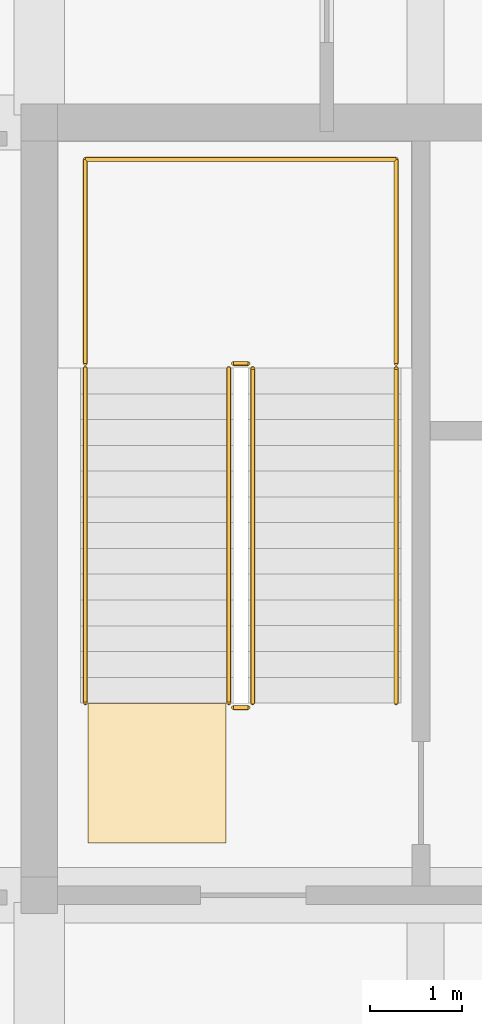
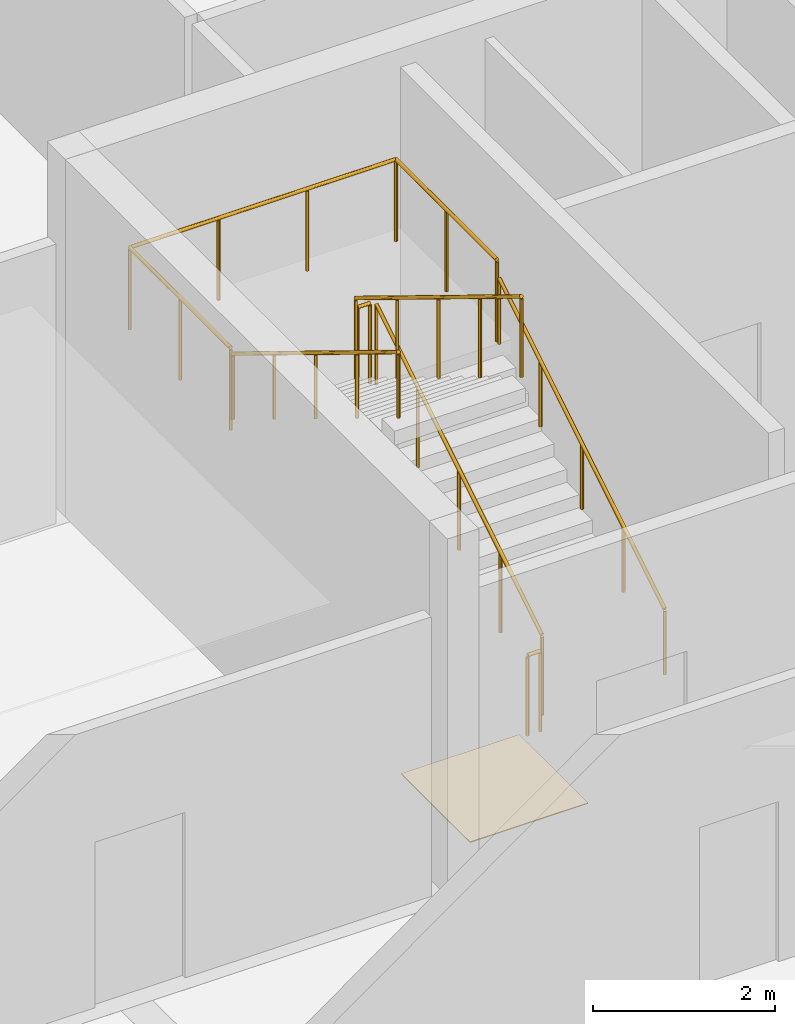
# One storey, part 95 of 122: 7 railings, 1 covering.
"""IFC4 building model written with IfcOpenShell, lengths in metres."""

import ifcopenshell
import ifcopenshell.guid

model = None  # the IFC model being written
_history = None  # IfcOwnerHistory: only IFC2X3 demands one
_inside = {}  # id of a spatial element -> (the spatial element, [elements in it])
_under = {}  # id of a project, library or spatial element -> (it, [spatial elements below it])
_declared = {}  # id of a project -> (the project, [libraries it declares])
_typed = {}  # id of a type object -> (the type object, [elements of that type])
_made_of = {}  # id of a material, layer set ... -> (it, [elements and type objects made of it])


def new_model(schema):
    """Start an empty IFC model of exactly this schema.

    Asked for "IFC4X3", IfcOpenShell would pick the latest addendum, in which some entities
    have other attributes; the version numbers below select the first issue.
    IFC2X3 requires an IfcOwnerHistory on every rooted entity: one is made here for all.
    """
    global model, _history
    if schema == "IFC4X3":
        model = ifcopenshell.file(schema_version=(4, 3, 0, 0))
    else:
        model = ifcopenshell.file(schema=schema)
    _inside.clear()
    _under.clear()
    _declared.clear()
    _typed.clear()
    _made_of.clear()
    _history = None
    if model.schema == "IFC2X3":
        org = make("IfcOrganization", Name="unknown")
        user = make(
            "IfcPersonAndOrganization",
            ThePerson=make("IfcPerson", FamilyName="unknown"),
            TheOrganization=org,
        )
        app = make(
            "IfcApplication",
            ApplicationDeveloper=org,
            Version="unknown",
            ApplicationFullName="unknown",
            ApplicationIdentifier="unknown",
        )
        _history = make(
            "IfcOwnerHistory",
            OwningUser=user,
            OwningApplication=app,
            ChangeAction="ADDED",
            CreationDate=0,
        )
    return model


def make(cls, **values):
    """One entity of the class cls with the attributes given. An attribute that is None is left unset."""
    return model.create_entity(
        cls, **{name: value for name, value in values.items() if value is not None}
    )


def rooted(cls, **values):
    """An entity with a GlobalId (a new one), such as an element, a storey or a relation."""
    return make(cls, GlobalId=ifcopenshell.guid.new(), OwnerHistory=_history, **values)


def si_unit(unit_type, name, prefix=None):
    """IfcSIUnit, for example si_unit("LENGTHUNIT", "METRE", prefix="MILLI")."""
    return make("IfcSIUnit", UnitType=unit_type, Prefix=prefix, Name=name)


def assignment(units):
    """IfcUnitAssignment: the units of a project."""
    return None if units is None else make("IfcUnitAssignment", Units=units)


def point(xyz):
    """IfcCartesianPoint."""
    return None if xyz is None else make("IfcCartesianPoint", Coordinates=xyz)


def direction(xyz):
    """IfcDirection."""
    return None if xyz is None else make("IfcDirection", DirectionRatios=xyz)


def frame(location, z_axis=None, x_axis=None):
    """IfcAxis2Placement3D, a coordinate frame: its origin and axes. An axis left out is left unset."""
    return make(
        "IfcAxis2Placement3D",
        Location=point(location),
        Axis=direction(z_axis),
        RefDirection=direction(x_axis),
    )


def frame_2d(location, x_axis=None):
    """IfcAxis2Placement2D, a coordinate frame in the plane: its origin and x axis."""
    return make(
        "IfcAxis2Placement2D", Location=point(location), RefDirection=direction(x_axis)
    )


def origin():
    """The frame at (0, 0, 0) with its axes left unset."""
    return frame((0.0, 0.0, 0.0))


def origin_2d():
    """The frame at (0, 0) in the plane with its x axis left unset."""
    return frame_2d((0.0, 0.0))


def place(relative_to, where):
    """IfcLocalPlacement: puts the frame where relative to a parent placement (None: the world)."""
    return make(
        "IfcLocalPlacement", PlacementRelTo=relative_to, RelativePlacement=where
    )


def context(
    kind, dimensions, precision=None, world=None, true_north=None, identifier=None
):
    """IfcGeometricRepresentationContext, for example the 3D "Model" context."""
    return make(
        "IfcGeometricRepresentationContext",
        ContextIdentifier=identifier,
        ContextType=kind,
        CoordinateSpaceDimension=dimensions,
        Precision=precision,
        WorldCoordinateSystem=world,
        TrueNorth=true_north,
    )


def subcontext(parent, identifier, kind, view, scale=None):
    """IfcGeometricRepresentationSubContext, for example "Body" below "Model"."""
    return make(
        "IfcGeometricRepresentationSubContext",
        ContextIdentifier=identifier,
        ContextType=kind,
        ParentContext=parent,
        TargetScale=scale,
        TargetView=view,
    )


def project(units=None, contexts=None):
    """IfcProject with its units and contexts."""
    return rooted(
        "IfcProject",
        Name="project",
        RepresentationContexts=contexts,
        UnitsInContext=assignment(units),
    )


def spatial(cls, under=None, at=None, **own):
    """A site, building, storey or space (cls), placed at a placement, below another one or the project."""
    s = rooted(cls, ObjectPlacement=at, **own)
    if under is not None:
        _under.setdefault(under.id(), (under, []))[1].append(s)
    return s


def polyline(points):
    """IfcPolyline through the points."""
    return make("IfcPolyline", Points=[point(p) for p in points])


def profile(cls, at=None, kind="AREA", **sizes):
    """A parametric profile (cls). Its sizes go by their IFC names, for example OverallWidth=200.0."""
    return make(cls, ProfileType=kind, Position=at, **sizes)


def circle(**sizes):
    """IfcCircleProfileDef."""
    return profile("IfcCircleProfileDef", **sizes)


def outline(outer, holes=None, kind="AREA"):
    """IfcArbitraryClosedProfileDef: a profile drawn as a closed curve; with holes, ...WithVoids."""
    if holes is None:
        return make("IfcArbitraryClosedProfileDef", ProfileType=kind, OuterCurve=outer)
    return make(
        "IfcArbitraryProfileDefWithVoids",
        ProfileType=kind,
        OuterCurve=outer,
        InnerCurves=holes,
    )


def extrude(swept, where, along, depth):
    """IfcExtrudedAreaSolid: the profile swept, set in the frame where, extruded along a direction by depth."""
    return make(
        "IfcExtrudedAreaSolid",
        SweptArea=swept,
        Position=where,
        ExtrudedDirection=direction(along),
        Depth=depth,
    )


def shape(context_of_items, identifier, shape_type, items):
    """IfcShapeRepresentation: the items that make up one representation, for example the "Body"."""
    return make(
        "IfcShapeRepresentation",
        ContextOfItems=context_of_items,
        RepresentationIdentifier=identifier,
        RepresentationType=shape_type,
        Items=items,
    )


def material(Name=None, Category=None):
    """IfcMaterial."""
    return make("IfcMaterial", Name=Name, Category=Category)


def layer(
    of_material, thickness, ventilated=None, Name=None, Category=None, Priority=None
):
    """IfcMaterialLayer: one layer of a wall or slab, of a material (None: an air gap)."""
    return make(
        "IfcMaterialLayer",
        Material=of_material,
        LayerThickness=thickness,
        IsVentilated=ventilated,
        Name=Name,
        Category=Category,
        Priority=Priority,
    )


def layer_set(layers, Name=None):
    """IfcMaterialLayerSet."""
    return make("IfcMaterialLayerSet", MaterialLayers=layers, LayerSetName=Name)


def made_of(thing, what):
    """Note that an element or type object is made of a material, layer set ...; save() writes the relation."""
    if what is not None:
        _made_of.setdefault(what.id(), (what, []))[1].append(thing)
    return thing


def type_object(cls, material=None, **own):
    """A type object (cls), such as IfcWallType, which elements share."""
    return made_of(rooted(cls, **own), material)


def element(
    cls,
    number,
    at=None,
    inside=None,
    cuts=None,
    type_object=None,
    material=None,
    context=None,
    identifier="Body",
    shape_type=None,
    held_by="IfcProductDefinitionShape",
    body=None,
    shapes=None,
    **own,
):
    """One element of the class cls, such as IfcWall. Its Tag is "e" and its number.

    at: its placement. inside: the storey or other place that contains it. cuts: it is an
    opening in that element (IfcRelVoidsElement). A single representation is given by context,
    identifier, shape_type and body (its items); several are given by shapes. held_by: the class
    of the entity that holds the representations. save() writes the other relations.
    """
    e = rooted(cls, Tag="e%d" % number, ObjectPlacement=at, **own)
    if body is not None:
        shapes = [shape(context, identifier, shape_type, body)]
    if shapes is not None:
        e.Representation = make(held_by, Representations=shapes)
    if inside is not None:
        _inside.setdefault(inside.id(), (inside, []))[1].append(e)
    if cuts is not None:
        rooted(
            "IfcRelVoidsElement", RelatingBuildingElement=cuts, RelatedOpeningElement=e
        )
    if type_object is not None:
        _typed.setdefault(type_object.id(), (type_object, []))[1].append(e)
    return made_of(e, material)


def aggregate(whole, parts):
    """IfcRelAggregates: a whole, such as a stair, and the parts it consists of."""
    return rooted("IfcRelAggregates", RelatingObject=whole, RelatedObjects=parts)


def save(model, path):
    """Write the relations noted so far, then the file.

    IfcRelAggregates (storeys below a building ...), IfcRelContainedInSpatialStructure (elements
    in a storey), IfcRelDefinesByType, IfcRelAssociatesMaterial and IfcRelDeclares: one each for
    every whole, place, type object, material and project.
    """
    for whole, parts in _under.values():
        aggregate(whole, parts)
    for where, things in _inside.values():
        rooted(
            "IfcRelContainedInSpatialStructure",
            RelatedElements=things,
            RelatingStructure=where,
        )
    for kind, things in _typed.values():
        rooted("IfcRelDefinesByType", RelatedObjects=things, RelatingType=kind)
    for what, things in _made_of.values():
        rooted("IfcRelAssociatesMaterial", RelatedObjects=things, RelatingMaterial=what)
    for by, libraries in _declared.values():
        rooted("IfcRelDeclares", RelatingContext=by, RelatedDefinitions=libraries)
    model.write(path)


model = new_model("IFC4")

# Units and contexts
model_context = context("Model", 3, precision=1e-05, world=origin(), true_north=direction((0.0, 1.0)))
body_context = subcontext(model_context, "Body", "Model", "MODEL_VIEW")
ifc_project = project(units=[si_unit("LENGTHUNIT", "METRE"), si_unit("AREAUNIT", "SQUARE_METRE"), si_unit("VOLUMEUNIT", "CUBIC_METRE"), si_unit("PLANEANGLEUNIT", "RADIAN"), si_unit("MASSUNIT", "GRAM", prefix="KILO")], contexts=[model_context])

# Site, building, storey
site_placement = place(None, origin())
site = spatial("IfcSite", under=ifc_project, at=site_placement, CompositionType="ELEMENT")
building_placement = place(site_placement, origin())
building = spatial("IfcBuilding", under=site, at=building_placement, Name="Telukmera Botanical Conservatory", CompositionType="ELEMENT")
storey_placement = place(building_placement, frame((0.0, 0.0, 10.199951171875)))
storey = spatial("IfcBuildingStorey", under=building, at=storey_placement, Name="L02", CompositionType="ELEMENT", Elevation=10.199951171875)

# Covering
ifc_material_1 = material(Name="Honed granite non-slip flooring", Category="masonry")
ifc_layer = layer(ifc_material_1, 0.011962890625)
ifc_layer_set = layer_set([ifc_layer], Name="Honed granite non-slip flooring")
covering_type = type_object("IfcCoveringType", Name="COV-FLR-12", PredefinedType="FLOORING", material=ifc_layer_set)
covering_placement = place(storey_placement, origin())
element("IfcCovering", 1, at=covering_placement, inside=storey, type_object=covering_type, Name="L02 ST1 Non-Slip Stair Landing Finish", PredefinedType="FLOORING", context=body_context, shape_type="SweptSolid", body=[
    extrude(outline(polyline([(60.830078125, 26.570068359375), (60.830078125, 28.0849609375), (59.330078125, 28.0849609375), (59.330078125, 26.570068359375), (60.830078125, 26.570068359375)])), origin(), (0.0, 0.0, 1.0), 0.011962890625),
])

# Railings
ifc_material_2 = material(Name="Steel S355", Category="steel")
railing_type_1 = type_object("IfcRailingType", Name="RL-GUARD-1100", PredefinedType="GUARDRAIL", material=ifc_material_2)
railing_1_placement = place(storey_placement, frame((61.1201171875, 28.090087890625, 0.17138671875)))
element("IfcRailing", 2, at=railing_1_placement, inside=storey, type_object=railing_type_1, Name="L02 ST1 stair guard 1", PredefinedType="GUARDRAIL", context=body_context, shape_type="SweptSolid", body=[
    extrude(circle(Radius=0.02392578125, at=origin_2d()), frame((0.0, 0.0, 1.076171875), z_axis=(0.0, 0.852824790078, 0.522197163366), x_axis=(-1.0, 0.0, 0.0)), (0.0, 0.0, 1.0), 4.26806640625),
    extrude(circle(Radius=0.02099609375, at=origin_2d()), origin(), (0.0, 0.0, 1.0), 1.052001953125),
    extrude(circle(Radius=0.02099609375, at=origin_2d()), frame((0.0, 0.909912109375, 0.55712890625)), (0.0, 0.0, 1.0), 1.052001953125),
    extrude(circle(Radius=0.02099609375, at=origin_2d()), frame((0.0, 1.81982421875, 1.1142578125)), (0.0, 0.0, 1.0), 1.052001953125),
    extrude(circle(Radius=0.02099609375, at=origin_2d()), frame((0.0, 2.72998046875, 1.671630859375)), (0.0, 0.0, 1.0), 1.052001953125),
    extrude(circle(Radius=0.02099609375, at=origin_2d()), frame((0.0, 3.639892578125, 2.228759765625)), (0.0, 0.0, 1.0), 1.052001953125),
])
railing_2_placement = place(storey_placement, frame((61.070068359375, 31.780029296875, 2.400146484375)))
element("IfcRailing", 3, at=railing_2_placement, inside=storey, type_object=railing_type_1, Name="L02 ST1 stair guard 2", PredefinedType="GUARDRAIL", context=body_context, shape_type="SweptSolid", body=[
    extrude(circle(Radius=0.02392578125, at=origin_2d()), frame((0.0, 0.0, 1.076171875), z_axis=(-1.0, 0.0, 0.0), x_axis=(0.0, -1.0, 0.0)), (0.0, 0.0, 1.0), 0.16015625),
    extrude(circle(Radius=0.02099609375, at=origin_2d()), origin(), (0.0, 0.0, 1.0), 1.052001953125),
    extrude(circle(Radius=0.02099609375, at=origin_2d()), frame((-0.16015625, 0.0, 0.0)), (0.0, 0.0, 1.0), 1.052001953125),
])
railing_3_placement = place(storey_placement, frame((60.860107421875, 31.72998046875, 2.571533203125)))
element("IfcRailing", 4, at=railing_3_placement, inside=storey, type_object=railing_type_1, Name="L02 ST1 stair guard 3", PredefinedType="GUARDRAIL", context=body_context, shape_type="SweptSolid", body=[
    extrude(circle(Radius=0.02392578125, at=origin_2d()), frame((0.0, 0.0, 1.076171875), z_axis=(0.0, -0.852850264322, 0.5221555579), x_axis=(1.0, 0.0, 0.0)), (0.0, 0.0, 1.0), 4.267822265625),
    extrude(circle(Radius=0.02099609375, at=origin_2d()), origin(), (0.0, 0.0, 1.0), 1.052001953125),
    extrude(circle(Radius=0.02099609375, at=origin_2d()), frame((0.0, -0.909912109375, 0.55712890625)), (0.0, 0.0, 1.0), 1.052001953125),
    extrude(circle(Radius=0.02099609375, at=origin_2d()), frame((0.0, -1.81982421875, 1.1142578125)), (0.0, 0.0, 1.0), 1.052001953125),
    extrude(circle(Radius=0.02099609375, at=origin_2d()), frame((0.0, -2.72998046875, 1.67138671875)), (0.0, 0.0, 1.0), 1.052001953125),
    extrude(circle(Radius=0.02099609375, at=origin_2d()), frame((0.0, -3.639892578125, 2.228515625)), (0.0, 0.0, 1.0), 1.052001953125),
])
railing_4_placement = place(storey_placement, frame((61.070068359375, 28.0400390625, 0.0)))
element("IfcRailing", 5, at=railing_4_placement, inside=storey, type_object=railing_type_1, Name="L02 ST1 stair guard 4", PredefinedType="GUARDRAIL", context=body_context, shape_type="SweptSolid", body=[
    extrude(circle(Radius=0.02392578125, at=origin_2d()), frame((0.0, 0.0, 1.076171875), z_axis=(-1.0, 0.0, 0.0), x_axis=(0.0, -1.0, 0.0)), (0.0, 0.0, 1.0), 0.16015625),
    extrude(circle(Radius=0.02099609375, at=origin_2d()), origin(), (0.0, 0.0, 1.0), 1.052001953125),
    extrude(circle(Radius=0.02099609375, at=origin_2d()), frame((-0.16015625, 0.0, 0.0)), (0.0, 0.0, 1.0), 1.052001953125),
])
railing_5_placement = place(storey_placement, frame((62.679931640625, 31.780029296875, 2.400146484375)))
element("IfcRailing", 6, at=railing_5_placement, inside=storey, type_object=railing_type_1, Name="L02 ST1 half-landing perimeter guard 1", PredefinedType="GUARDRAIL", context=body_context, shape_type="SweptSolid", body=[
    extrude(circle(Radius=0.02392578125, at=origin_2d()), frame((0.0, 0.0, 1.09619140625), z_axis=(0.0, 1.0, 0.0), x_axis=(-1.0, 0.0, 0.0)), (0.0, 0.0, 1.0), 2.219970703125),
    extrude(circle(Radius=0.02392578125, at=origin_2d()), frame((0.0, 2.219970703125, 1.09619140625), z_axis=(-1.0, 0.0, 0.0), x_axis=(0.0, -1.0, 0.0)), (0.0, 0.0, 1.0), 3.3798828125),
    extrude(circle(Radius=0.02392578125, at=origin_2d()), frame((-3.3798828125, 2.219970703125, 1.09619140625), z_axis=(0.0, -1.0, 0.0), x_axis=(1.0, 0.0, 0.0)), (0.0, 0.0, 1.0), 2.219970703125),
    extrude(circle(Radius=0.02099609375, at=origin_2d()), origin(), (0.0, 0.0, 1.0), 1.072021484375),
    extrude(circle(Radius=0.02099609375, at=origin_2d()), frame((0.0, 1.10986328125, 0.0)), (0.0, 0.0, 1.0), 1.072021484375),
    extrude(circle(Radius=0.02099609375, at=origin_2d()), frame((0.0, 2.219970703125, 0.0)), (0.0, 0.0, 1.0), 1.072021484375),
    extrude(circle(Radius=0.02099609375, at=origin_2d()), frame((-1.126708984375, 2.219970703125, 0.0)), (0.0, 0.0, 1.0), 1.072021484375),
    extrude(circle(Radius=0.02099609375, at=origin_2d()), frame((-2.253173828125, 2.219970703125, 0.0)), (0.0, 0.0, 1.0), 1.072021484375),
    extrude(circle(Radius=0.02099609375, at=origin_2d()), frame((-3.3798828125, 2.219970703125, 0.0)), (0.0, 0.0, 1.0), 1.072021484375),
    extrude(circle(Radius=0.02099609375, at=origin_2d()), frame((-3.3798828125, 1.10986328125, 0.0)), (0.0, 0.0, 1.0), 1.072021484375),
    extrude(circle(Radius=0.02099609375, at=origin_2d()), frame((-3.3798828125, 0.0, 0.0)), (0.0, 0.0, 1.0), 1.072021484375),
])
ifc_material_3 = material(Name="Stainless steel 316", Category="steel")
railing_type_2 = type_object("IfcRailingType", Name="RL-HAND-900", PredefinedType="HANDRAIL", material=ifc_material_3)
railing_6_placement = place(storey_placement, frame((62.679931640625, 28.090087890625, 0.17138671875)))
element("IfcRailing", 7, at=railing_6_placement, inside=storey, type_object=railing_type_2, Name="L02 ST1 stair handrail 1", PredefinedType="HANDRAIL", context=body_context, shape_type="SweptSolid", body=[
    extrude(circle(Radius=0.02392578125, at=origin_2d()), frame((0.0, 0.0, 0.8759765625), z_axis=(0.0, 0.852824790078, 0.522197163366), x_axis=(-1.0, 0.0, 0.0)), (0.0, 0.0, 1.0), 4.26806640625),
    extrude(circle(Radius=0.02099609375, at=origin_2d()), origin(), (0.0, 0.0, 1.0), 0.851806640625),
    extrude(circle(Radius=0.02099609375, at=origin_2d()), frame((0.0, 0.909912109375, 0.55712890625)), (0.0, 0.0, 1.0), 0.851806640625),
    extrude(circle(Radius=0.02099609375, at=origin_2d()), frame((0.0, 1.81982421875, 1.1142578125)), (0.0, 0.0, 1.0), 0.851806640625),
    extrude(circle(Radius=0.02099609375, at=origin_2d()), frame((0.0, 2.72998046875, 1.671630859375)), (0.0, 0.0, 1.0), 0.851806640625),
    extrude(circle(Radius=0.02099609375, at=origin_2d()), frame((0.0, 3.639892578125, 2.228759765625)), (0.0, 0.0, 1.0), 0.851806640625),
])
railing_7_placement = place(storey_placement, frame((59.300048828125, 31.72998046875, 2.571533203125)))
element("IfcRailing", 8, at=railing_7_placement, inside=storey, type_object=railing_type_2, Name="L02 ST1 stair handrail 2", PredefinedType="HANDRAIL", context=body_context, shape_type="SweptSolid", body=[
    extrude(circle(Radius=0.02392578125, at=origin_2d()), frame((0.0, 0.0, 0.8759765625), z_axis=(0.0, -0.852850264322, 0.5221555579), x_axis=(1.0, 0.0, 0.0)), (0.0, 0.0, 1.0), 4.267822265625),
    extrude(circle(Radius=0.02099609375, at=origin_2d()), origin(), (0.0, 0.0, 1.0), 0.851806640625),
    extrude(circle(Radius=0.02099609375, at=origin_2d()), frame((0.0, -0.909912109375, 0.55712890625)), (0.0, 0.0, 1.0), 0.851806640625),
    extrude(circle(Radius=0.02099609375, at=origin_2d()), frame((0.0, -1.81982421875, 1.1142578125)), (0.0, 0.0, 1.0), 0.851806640625),
    extrude(circle(Radius=0.02099609375, at=origin_2d()), frame((0.0, -2.72998046875, 1.67138671875)), (0.0, 0.0, 1.0), 0.851806640625),
    extrude(circle(Radius=0.02099609375, at=origin_2d()), frame((0.0, -3.639892578125, 2.228515625)), (0.0, 0.0, 1.0), 0.851806640625),
])

save(model, "model.ifc")
